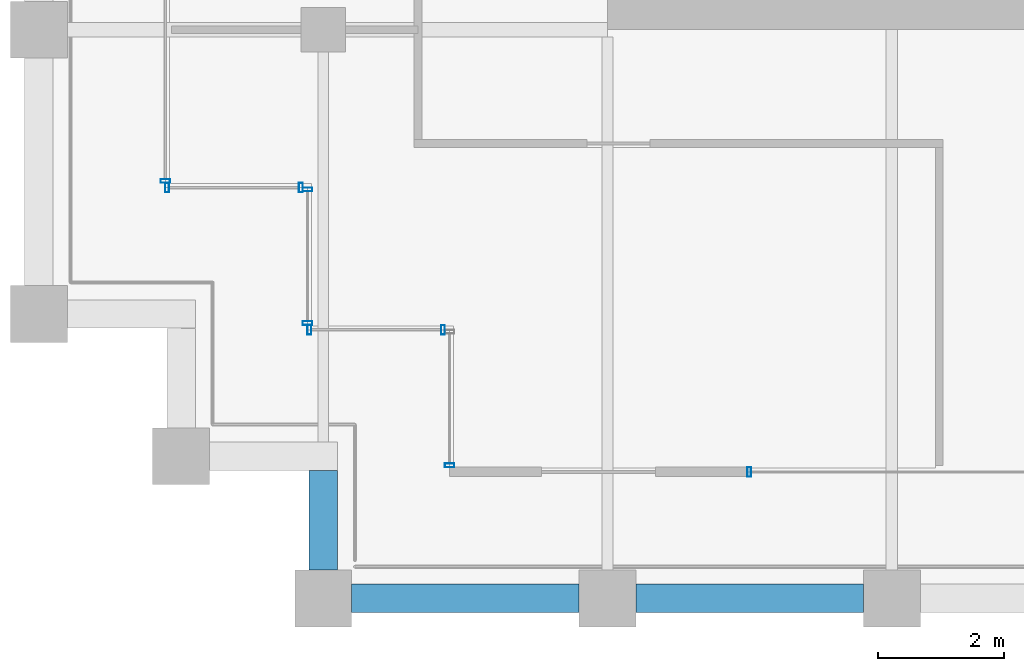
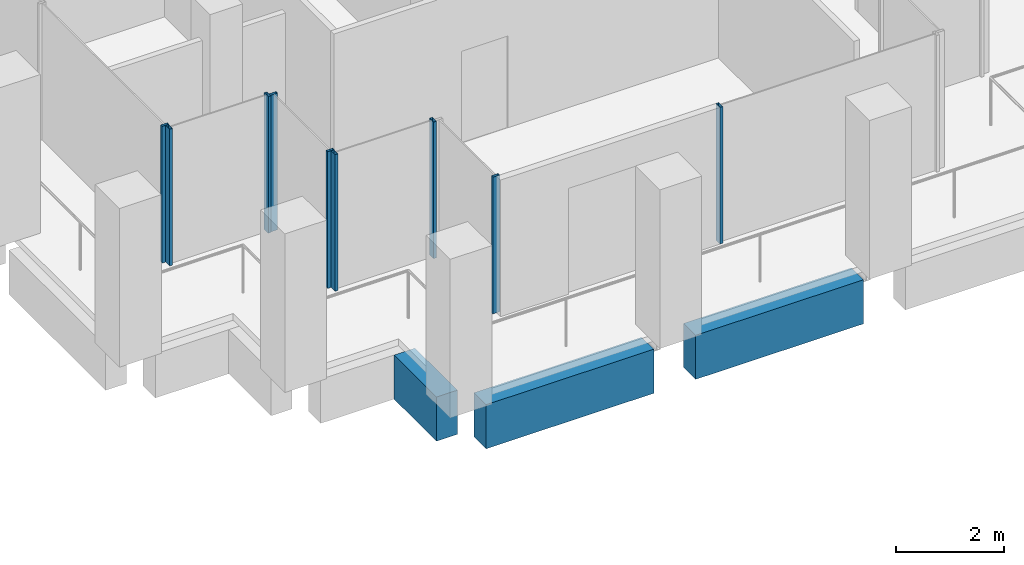
# One storey, part 28 of 40: 9 members, 3 beams, 6 elements without a shape of their own.
"""IFC4 building model written with IfcOpenShell, lengths in metres."""

from ifc_helpers import new_model, si_unit, direction, frame, origin, origin_2d, place, context, subcontext, project, spatial, rectangle, hollow_rectangle, extrude, material, material_profile, profile_set, type_object, element, aggregate, save


model = new_model("IFC4")

# Units and contexts
model_context = context("Model", 3, precision=1e-05, world=origin(), true_north=direction((0.0, 1.0)))
body_context = subcontext(model_context, "Body", "Model", "MODEL_VIEW")
ifc_project = project(units=[si_unit("LENGTHUNIT", "METRE"), si_unit("AREAUNIT", "SQUARE_METRE"), si_unit("VOLUMEUNIT", "CUBIC_METRE"), si_unit("PLANEANGLEUNIT", "RADIAN"), si_unit("MASSUNIT", "GRAM", prefix="KILO")], contexts=[model_context])

# Site, building, storey
site_placement = place(None, origin())
site = spatial("IfcSite", under=ifc_project, at=site_placement, CompositionType="ELEMENT")
building_placement = place(site_placement, origin())
building = spatial("IfcBuilding", under=site, at=building_placement, Name="Altepetl Exchange Towers", CompositionType="ELEMENT")
storey_placement = place(building_placement, frame((0.0, 0.0, 172.60009765625)))
storey = spatial("IfcBuildingStorey", under=building, at=storey_placement, Name="L43", CompositionType="ELEMENT", Elevation=172.60009765625)

# Curtain wall, member
ifc_material_1 = material(Name="Aluminium 6063-T6 glazing", Category="aluminium")
curtain_wall_type = type_object("IfcCurtainWallType", Name="Loggia glazing system", PredefinedType="NOTDEFINED", material=ifc_material_1)
curtain_wall_1_placement = place(storey_placement, origin())
curtain_wall_1 = element("IfcCurtainWall", 1, at=curtain_wall_1_placement, inside=storey, type_object=curtain_wall_type, Name="CW1 run", PredefinedType="NOTDEFINED")
ifc_material_2 = material(Name="Aluminium 6063-T6", Category="aluminium")
ifc_material_profile_1 = material_profile(ifc_material_2, hollow_rectangle(XDim=0.06005859375, YDim=0.14990234375, WallThickness=0.0029296875, at=origin_2d()), Name="Mullion 60x150 aluminium")
ifc_profile_set_1 = profile_set([ifc_material_profile_1], Name="Aluminium 6063-T6")
member_type = type_object("IfcMemberType", Name="Mullion 60x150 aluminium", PredefinedType="MULLION", material=ifc_profile_set_1)
member_1_placement = place(storey_placement, frame((101.0, 29.10498046875, 0.0), z_axis=(0.0, 0.0, 1.0), x_axis=(0.0, -1.0, 0.0)))
member_1 = element("IfcMember", 2, at=member_1_placement, type_object=member_type, Name="MU1 mullion", PredefinedType="MULLION", context=body_context, shape_type="SweptSolid", body=[
    extrude(hollow_rectangle(XDim=0.06005859375, YDim=0.14990234375, WallThickness=0.0029296875, at=origin_2d()), origin(), (0.0, 0.0, 1.0), 3.099853515625),
])
aggregate(curtain_wall_1, [member_1])

curtain_wall_2_placement = place(storey_placement, origin())
curtain_wall_2 = element("IfcCurtainWall", 3, at=curtain_wall_2_placement, inside=storey, type_object=curtain_wall_type, Name="CW1 run", PredefinedType="NOTDEFINED")
member_2_placement = place(storey_placement, frame((105.742431640625, 29.0, 0.0)))
member_2 = element("IfcMember", 4, at=member_2_placement, type_object=member_type, Name="MU1 mullion", PredefinedType="MULLION", context=body_context, shape_type="SweptSolid", body=[
    extrude(hollow_rectangle(XDim=0.06005859375, YDim=0.14990234375, WallThickness=0.0029296875, at=origin_2d()), origin(), (0.0, 0.0, 1.0), 3.099853515625),
])
aggregate(curtain_wall_2, [member_2])

curtain_wall_3_placement = place(storey_placement, origin())
curtain_wall_3 = element("IfcCurtainWall", 5, at=curtain_wall_3_placement, inside=storey, type_object=curtain_wall_type, Name="CW1 run", PredefinedType="NOTDEFINED")
member_3_placement = place(storey_placement, frame((96.5, 33.60498046875, 0.0), z_axis=(0.0, 0.0, 1.0), x_axis=(0.0, -1.0, 0.0)))
member_3 = element("IfcMember", 6, at=member_3_placement, type_object=member_type, Name="MU1 mullion", PredefinedType="MULLION", context=body_context, shape_type="SweptSolid", body=[
    extrude(hollow_rectangle(XDim=0.06005859375, YDim=0.14990234375, WallThickness=0.0029296875, at=origin_2d()), origin(), (0.0, 0.0, 1.0), 3.099853515625),
])
aggregate(curtain_wall_3, [member_3])

# Curtain wall, members
curtain_wall_4_placement = place(storey_placement, origin())
curtain_wall_4 = element("IfcCurtainWall", 7, at=curtain_wall_4_placement, inside=storey, type_object=curtain_wall_type, Name="CW1 run", PredefinedType="NOTDEFINED")
member_4_placement = place(storey_placement, frame((96.530029296875, 33.5, 0.0)))
member_4 = element("IfcMember", 8, at=member_4_placement, type_object=member_type, Name="MU1 mullion", PredefinedType="MULLION", context=body_context, shape_type="SweptSolid", body=[
    extrude(hollow_rectangle(XDim=0.06005859375, YDim=0.14990234375, WallThickness=0.0029296875, at=origin_2d()), origin(), (0.0, 0.0, 1.0), 3.099853515625),
])
member_5_placement = place(storey_placement, frame((98.64501953125, 33.5, 0.0)))
member_5 = element("IfcMember", 9, at=member_5_placement, type_object=member_type, Name="MU1 mullion", PredefinedType="MULLION", context=body_context, shape_type="SweptSolid", body=[
    extrude(hollow_rectangle(XDim=0.06005859375, YDim=0.14990234375, WallThickness=0.0029296875, at=origin_2d()), origin(), (0.0, 0.0, 1.0), 3.099853515625),
])
aggregate(curtain_wall_4, [member_4, member_5])

curtain_wall_5_placement = place(storey_placement, origin())
curtain_wall_5 = element("IfcCurtainWall", 10, at=curtain_wall_5_placement, inside=storey, type_object=curtain_wall_type, Name="CW1 run", PredefinedType="NOTDEFINED")
member_6_placement = place(storey_placement, frame((98.75, 33.469970703125, 0.0), z_axis=(0.0, 0.0, 1.0), x_axis=(0.0, -1.0, 0.0)))
member_6 = element("IfcMember", 11, at=member_6_placement, type_object=member_type, Name="MU1 mullion", PredefinedType="MULLION", context=body_context, shape_type="SweptSolid", body=[
    extrude(hollow_rectangle(XDim=0.06005859375, YDim=0.14990234375, WallThickness=0.0029296875, at=origin_2d()), origin(), (0.0, 0.0, 1.0), 3.099853515625),
])
member_7_placement = place(storey_placement, frame((98.75, 31.35498046875, 0.0), z_axis=(0.0, 0.0, 1.0), x_axis=(0.0, -1.0, 0.0)))
member_7 = element("IfcMember", 12, at=member_7_placement, type_object=member_type, Name="MU1 mullion", PredefinedType="MULLION", context=body_context, shape_type="SweptSolid", body=[
    extrude(hollow_rectangle(XDim=0.06005859375, YDim=0.14990234375, WallThickness=0.0029296875, at=origin_2d()), origin(), (0.0, 0.0, 1.0), 3.099853515625),
])
aggregate(curtain_wall_5, [member_6, member_7])

curtain_wall_6_placement = place(storey_placement, origin())
curtain_wall_6 = element("IfcCurtainWall", 13, at=curtain_wall_6_placement, inside=storey, type_object=curtain_wall_type, Name="CW1 run", PredefinedType="NOTDEFINED")
member_8_placement = place(storey_placement, frame((98.780029296875, 31.25, 0.0)))
member_8 = element("IfcMember", 14, at=member_8_placement, type_object=member_type, Name="MU1 mullion", PredefinedType="MULLION", context=body_context, shape_type="SweptSolid", body=[
    extrude(hollow_rectangle(XDim=0.06005859375, YDim=0.14990234375, WallThickness=0.0029296875, at=origin_2d()), origin(), (0.0, 0.0, 1.0), 3.099853515625),
])
member_9_placement = place(storey_placement, frame((100.89501953125, 31.25, 0.0)))
member_9 = element("IfcMember", 15, at=member_9_placement, type_object=member_type, Name="MU1 mullion", PredefinedType="MULLION", context=body_context, shape_type="SweptSolid", body=[
    extrude(hollow_rectangle(XDim=0.06005859375, YDim=0.14990234375, WallThickness=0.0029296875, at=origin_2d()), origin(), (0.0, 0.0, 1.0), 3.099853515625),
])
aggregate(curtain_wall_6, [member_8, member_9])

# Beams
ifc_material_3 = material(Name="Concrete C50/60 precast with tezontle facing", Category="concrete")
ifc_material_profile_2 = material_profile(ifc_material_3, rectangle(XDim=0.449951171875, YDim=1.0, at=origin_2d()), Name="450 x 1000")
ifc_profile_set_2 = profile_set([ifc_material_profile_2], Name="Concrete C50/60 precast with tezontle facing")
beam_type = type_object("IfcBeamType", Name="Spandrel beam 450x1000 tezontle", PredefinedType="SPANDREL", material=ifc_profile_set_2)
for number, where, z_axis, x_axis, name in (
    (16, (99.449951171875, 27.0, -0.650146484375), (1.0, 0.0, 0.0), (0.0, 1.0, 0.0), "sp:B:L43:000"),
    (17, (103.949951171875, 27.0, -0.650146484375), (1.0, 0.0, 0.0), (0.0, 1.0, 0.0), "sp:B:L43:001"),
):
    element("IfcBeam", number, at=place(storey_placement, frame(where, z_axis=z_axis, x_axis=x_axis)), inside=storey, type_object=beam_type, Name=name, PredefinedType="SPANDREL", context=body_context, shape_type="SweptSolid", body=[
        extrude(rectangle(XDim=0.449951171875, YDim=1.0, at=origin_2d()), origin(), (0.0, 0.0, 1.0), 3.60009765625),
    ])
beam_placement = place(storey_placement, frame((99.0, 29.02490234375, -0.650146484375), z_axis=(0.0, -1.0, 0.0), x_axis=(1.0, 0.0, 0.0)))
element("IfcBeam", 18, at=beam_placement, inside=storey, type_object=beam_type, Name="sp:B:L43:023", PredefinedType="SPANDREL", context=body_context, shape_type="SweptSolid", body=[
    extrude(rectangle(XDim=0.449951171875, YDim=1.0, at=origin_2d()), origin(), (0.0, 0.0, 1.0), 1.574951171875),
])

save(model, "model.ifc")
